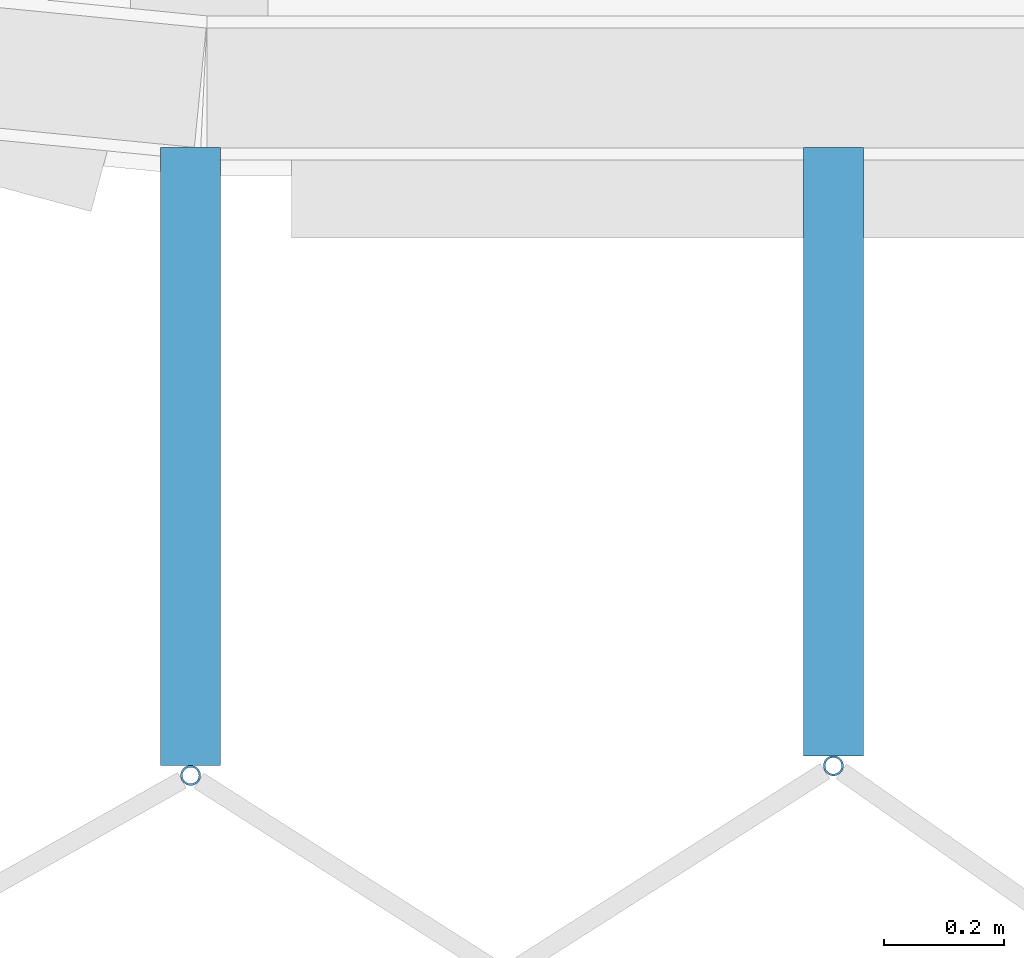
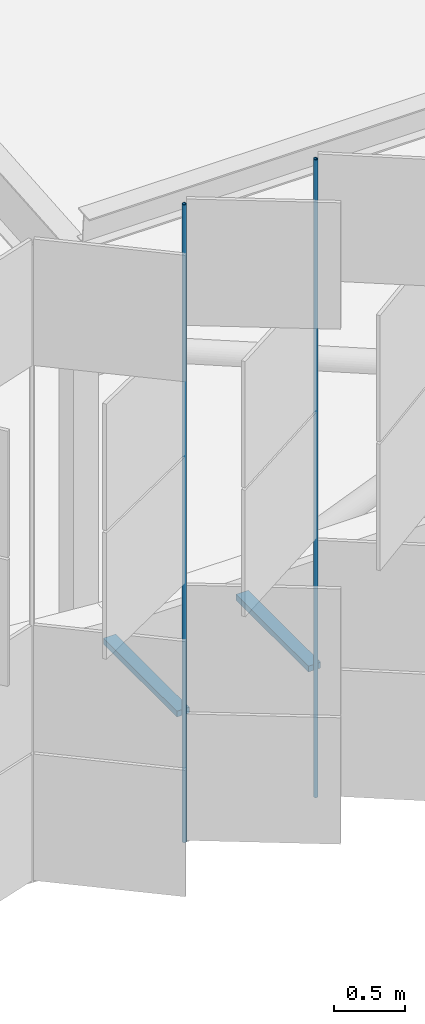
# One storey, part 130 of 483: 4 discrete accessories.
"""IFC4 building model written with IfcOpenShell, lengths in metres."""

from ifc_helpers import new_model, si_unit, direction, frame, origin, origin_2d, place, context, subcontext, project, spatial, rectangle, hollow_circle, extrude, material, material_profile, profile_set, type_object, element, save


model = new_model("IFC4")

# Units and contexts
model_context = context("Model", 3, precision=1e-05, world=origin(), true_north=direction((0.0, 1.0)))
body_context = subcontext(model_context, "Body", "Model", "MODEL_VIEW")
ifc_project = project(units=[si_unit("LENGTHUNIT", "METRE"), si_unit("AREAUNIT", "SQUARE_METRE"), si_unit("VOLUMEUNIT", "CUBIC_METRE"), si_unit("PLANEANGLEUNIT", "RADIAN"), si_unit("MASSUNIT", "GRAM", prefix="KILO")], contexts=[model_context])

# Site, building, storey
site_placement = place(None, origin())
site = spatial("IfcSite", under=ifc_project, at=site_placement, CompositionType="ELEMENT")
building_placement = place(site_placement, origin())
building = spatial("IfcBuilding", under=site, at=building_placement, Name="Parallax Yard Mobility Hub", CompositionType="ELEMENT")
storey_placement = place(building_placement, frame((0.0, 0.0, 13.199951171875)))
storey = spatial("IfcBuildingStorey", under=building, at=storey_placement, Name="L04", CompositionType="ELEMENT", Elevation=13.199951171875)

# Discrete accessories
ifc_material_1 = material(Name="Steel ASTM A36, hot-dip galvanised", Category="steel")
discrete_accessory_type_1 = type_object("IfcDiscreteAccessoryType", Name="Hinge bracket plate 100x50", PredefinedType="BRACKET", material=ifc_material_1)
discrete_accessory_1_placement = place(storey_placement, frame((29.9853515625, 112.031494140625, 1.06982421875), z_axis=(0.0, 0.0, 1.0), x_axis=(0.0, -1.0, 0.0)))
element("IfcDiscreteAccessory", 1, at=discrete_accessory_1_placement, inside=storey, type_object=discrete_accessory_type_1, Name="Hinge bracket plate bay 1.1 level L04", PredefinedType="BRACKET", context=body_context, shape_type="SweptSolid", body=[
    extrude(rectangle(XDim=1.030029296875, YDim=0.10009765625, at=origin_2d()), origin(), (0.0, 0.0, 1.0), 0.050048828125),
])
discrete_accessory_2_placement = place(storey_placement, frame((31.056884765625, 112.03955078125, 1.06982421875), z_axis=(0.0, 0.0, 1.0), x_axis=(0.0, -1.0, 0.0)))
element("IfcDiscreteAccessory", 2, at=discrete_accessory_2_placement, inside=storey, type_object=discrete_accessory_type_1, Name="Hinge bracket plate bay 1.2 level L04", PredefinedType="BRACKET", context=body_context, shape_type="SweptSolid", body=[
    extrude(rectangle(XDim=1.01416015625, YDim=0.10009765625, at=origin_2d()), origin(), (0.0, 0.0, 1.0), 0.050048828125),
])
ifc_material_2 = material(Name="Steel ASTM A500 Gr C, hot-dip galvanised", Category="steel")
ifc_material_profile = material_profile(ifc_material_2, hollow_circle(Radius=0.016845703125, WallThickness=0.003173828125, at=origin_2d()), Name="CHS 33.7x3.2")
ifc_profile_set = profile_set([ifc_material_profile], Name="Steel ASTM A500 Gr C, hot-dip galvanised")
discrete_accessory_type_2 = type_object("IfcDiscreteAccessoryType", Name="Hinge post CHS 33.7x3.2", PredefinedType="BRACKET", material=ifc_profile_set)
for number, where, z_axis, x_axis, name in (
    (3, (29.9853515625, 111.5, 0.0), (0.0, 0.0, 1.0), (1.0, 0.0, 0.0), "Hinge post bay 1.1 level L04"),
    (4, (31.056884765625, 111.51611328125, 0.0), (0.0, 0.0, 1.0), (1.0, 0.0, 0.0), "Hinge post bay 1.2 level L04"),
):
    element("IfcDiscreteAccessory", number, at=place(storey_placement, frame(where, z_axis=z_axis, x_axis=x_axis)), inside=storey, type_object=discrete_accessory_type_2, Name=name, PredefinedType="BRACKET", context=body_context, shape_type="SweptSolid", body=[
        extrude(hollow_circle(Radius=0.016845703125, WallThickness=0.003173828125, at=origin_2d()), origin(), (0.0, 0.0, 1.0), 5.449951171875),
    ])

save(model, "model.ifc")
